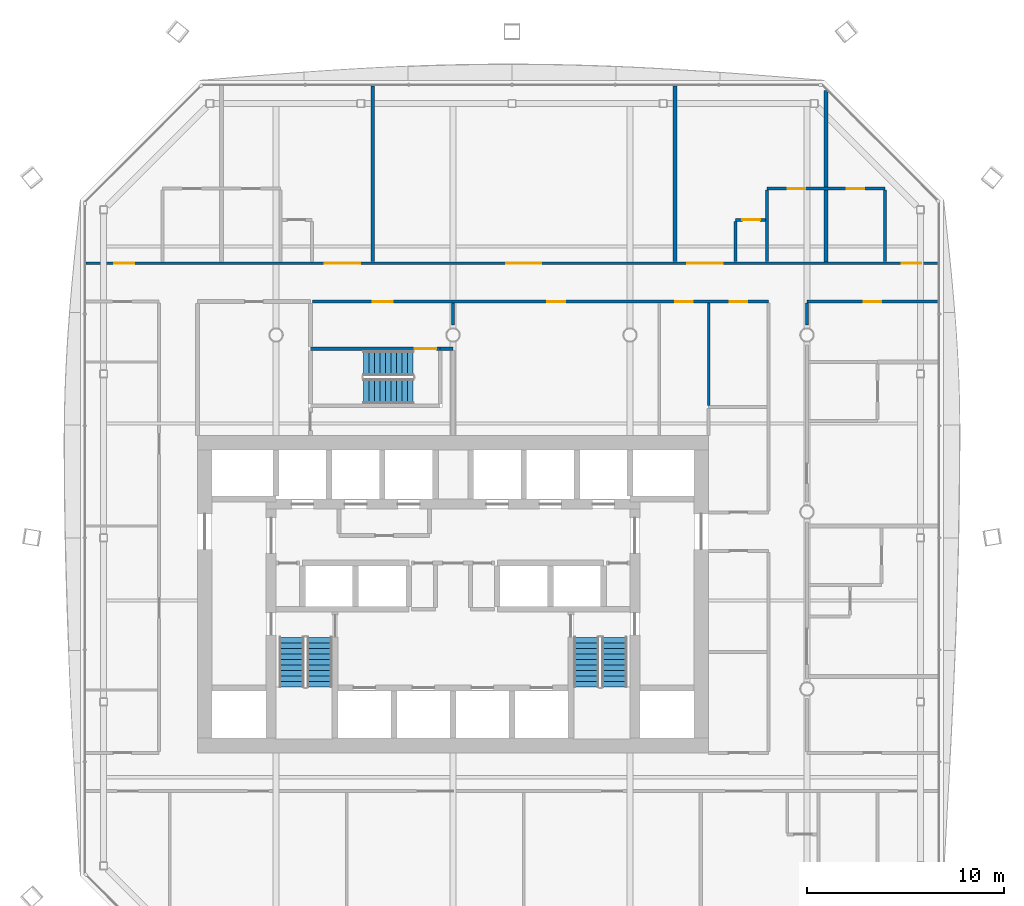
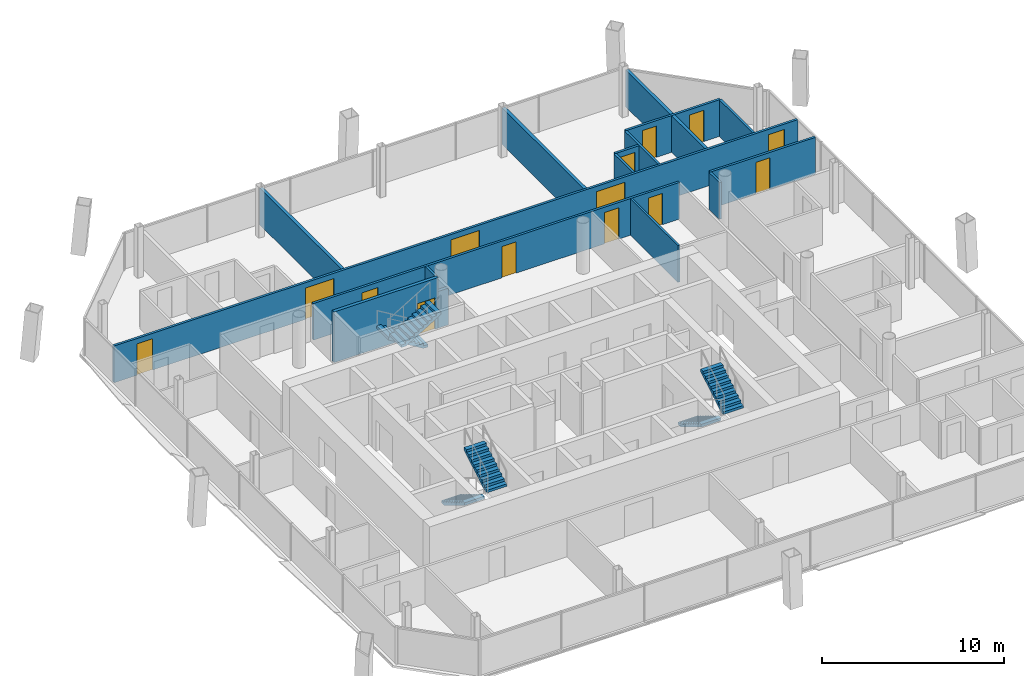
# One storey, part 14 of 17: 16 walls, 14 doors, 6 stair flights, 14 openings, 3 elements without a shape of their own.
"""IFC4 building model written with IfcOpenShell, lengths in metres."""

from ifc_helpers import new_model, si_unit, direction, frame, frame_2d, origin, place, context, subcontext, project, spatial, polyline, rectangle, outline, extrude, material, layer, layer_set, type_object, element, fill, aggregate, save


model = new_model("IFC4")

# Units and contexts
model_context = context("Model", 3, precision=1e-05, world=origin(), true_north=direction((0.0, 1.0)))
body_context = subcontext(model_context, "Body", "Model", "MODEL_VIEW")
ifc_project = project(units=[si_unit("LENGTHUNIT", "METRE"), si_unit("AREAUNIT", "SQUARE_METRE"), si_unit("VOLUMEUNIT", "CUBIC_METRE"), si_unit("PLANEANGLEUNIT", "RADIAN"), si_unit("MASSUNIT", "GRAM", prefix="KILO")], contexts=[model_context])

# Site, building, storey
site_placement = place(None, origin())
site = spatial("IfcSite", under=ifc_project, at=site_placement, CompositionType="ELEMENT")
building_placement = place(site_placement, origin())
building = spatial("IfcBuilding", under=site, at=building_placement, Name="Tskaro Facet Tower", CompositionType="ELEMENT")
storey_placement = place(building_placement, frame((0.0, 0.0, 158.89990234375)))
storey = spatial("IfcBuildingStorey", under=building, at=storey_placement, Name="L39", CompositionType="ELEMENT", Elevation=158.89990234375)

# Wall
ifc_material_1 = material(Name="Gypsum board on steel studs", Category="steel")
ifc_layer_1 = layer(ifc_material_1, 0.125, Name="Gypsum board on steel studs")
ifc_layer_set_1 = layer_set([ifc_layer_1], Name="Gypsum board on steel studs")
wall_type_1 = type_object("IfcWallType", Name="PART", PredefinedType="PARTITIONING", material=ifc_layer_set_1)
wall_1_placement = place(storey_placement, frame((13.0, 5.412109375, 0.0), z_axis=(0.0, 0.0, 1.0), x_axis=(0.0, 1.0, 0.0)))
element("IfcWall", 1, at=wall_1_placement, inside=storey, type_object=wall_type_1, Name="Partition W091", PredefinedType="PARTITIONING", context=body_context, shape_type="SweptSolid", body=[
    extrude(rectangle(XDim=5.212890625, YDim=0.125, at=frame_2d((2.6064453125, 0.0))), origin(), (0.0, 0.0, 1.0), 2.460205078125),
])

# Wall, openings, doors
ifc_layer_2 = layer(ifc_material_1, 0.14990234375, Name="Gypsum board on steel studs")
ifc_layer_set_2 = layer_set([ifc_layer_2], Name="Gypsum board on steel studs")
wall_type_2 = type_object("IfcWallType", Name="PART-CORR", PredefinedType="PARTITIONING", material=ifc_layer_set_2)
wall_2_placement = place(storey_placement, frame((16.050048828125, 10.699951171875, 0.0), z_axis=(0.0, 0.0, 1.0), x_axis=(-1.0, 0.0, 0.0)))
wall_2 = element("IfcWall", 2, at=wall_2_placement, inside=storey, type_object=wall_type_2, Name="Corridor wall W041", PredefinedType="PARTITIONING", context=body_context, shape_type="SweptSolid", body=[
    extrude(rectangle(XDim=23.199951171875, YDim=0.14990234375, at=frame_2d((11.60009765625, 0.0))), origin(), (0.0, 0.0, 1.0), 2.460205078125),
])
opening_1_placement = place(wall_2_placement, frame((19.125, 0.0, 0.0)))
opening_1 = element("IfcOpeningElement", 3, at=opening_1_placement, cuts=wall_2, Name="Opening T11p-D37", PredefinedType="OPENING", context=body_context, shape_type="SweptSolid", body=[
    extrude(rectangle(XDim=1.0, YDim=2.10009765625, at=frame_2d((0.5, 1.050048828125))), frame((0.0, 0.0849609375, 0.0), z_axis=(0.0, -1.0, 0.0), x_axis=(1.0, 0.0, 0.0)), (0.0, 0.0, 1.0), 0.169921875),
])
opening_2_placement = place(wall_2_placement, frame((10.35009765625, 0.0, 0.0)))
opening_2 = element("IfcOpeningElement", 4, at=opening_2_placement, cuts=wall_2, Name="Opening T11p-D38", PredefinedType="OPENING", context=body_context, shape_type="SweptSolid", body=[
    extrude(rectangle(XDim=0.89990234375, YDim=2.10009765625, at=frame_2d((0.449951171875, 1.050048828125))), frame((0.0, 0.0849609375, 0.0), z_axis=(0.0, -1.0, 0.0), x_axis=(1.0, 0.0, 0.0)), (0.0, 0.0, 1.0), 0.169921875),
])
opening_3_placement = place(wall_2_placement, frame((3.85009765625, 0.0, 0.0)))
opening_3 = element("IfcOpeningElement", 5, at=opening_3_placement, cuts=wall_2, Name="Opening T11p-D39", PredefinedType="OPENING", context=body_context, shape_type="SweptSolid", body=[
    extrude(rectangle(XDim=0.89990234375, YDim=2.10009765625, at=frame_2d((0.449951171875, 1.050048828125))), frame((0.0, 0.0849609375, 0.0), z_axis=(0.0, -1.0, 0.0), x_axis=(1.0, 0.0, 0.0)), (0.0, 0.0, 1.0), 0.169921875),
])
opening_4_placement = place(wall_2_placement, frame((1.074951171875, 0.0, 0.0)))
opening_4 = element("IfcOpeningElement", 6, at=opening_4_placement, cuts=wall_2, Name="Opening T11p-D40", PredefinedType="OPENING", context=body_context, shape_type="SweptSolid", body=[
    extrude(rectangle(XDim=0.89990234375, YDim=2.10009765625, at=frame_2d((0.449951171875, 1.050048828125))), frame((0.0, 0.0849609375, 0.0), z_axis=(0.0, -1.0, 0.0), x_axis=(1.0, 0.0, 0.0)), (0.0, 0.0, 1.0), 0.169921875),
])
ifc_material_2 = material(Name="Steel", Category="steel")
door_type_1 = type_object("IfcDoorType", Name="D-LOBBY", OperationType="NOTDEFINED", PredefinedType="DOOR", material=ifc_material_2)
door_1_placement = place(opening_1_placement, origin())
door_1 = element("IfcDoor", 7, at=door_1_placement, inside=storey, type_object=door_type_1, Name="Stair lobby door", OperationType="SINGLE_SWING_RIGHT", OverallHeight=2.10009765625, OverallWidth=1.0, PredefinedType="DOOR", context=body_context, shape_type="SweptSolid", body=[
    extrude(rectangle(XDim=1.0, YDim=2.10009765625, at=frame_2d((0.5, 1.050048828125))), frame((0.0, 0.02490234375, 0.0), z_axis=(0.0, -1.0, 0.0), x_axis=(1.0, 0.0, 0.0)), (0.0, 0.0, 1.0), 0.050048828125),
])
fill(opening_1, door_1)
ifc_material_3 = material(Name="Timber", Category="wood")
door_type_2 = type_object("IfcDoorType", Name="D-ROOM", OperationType="NOTDEFINED", PredefinedType="DOOR", material=ifc_material_3)
door_2_placement = place(opening_2_placement, origin())
door_2 = element("IfcDoor", 8, at=door_2_placement, inside=storey, type_object=door_type_2, Name="Door T11p-D38", OperationType="SINGLE_SWING_RIGHT", OverallHeight=2.10009765625, OverallWidth=0.89990234375, PredefinedType="DOOR", context=body_context, shape_type="SweptSolid", body=[
    extrude(rectangle(XDim=0.89990234375, YDim=2.10009765625, at=frame_2d((0.449951171875, 1.050048828125))), frame((0.0, 0.02490234375, 0.0), z_axis=(0.0, -1.0, 0.0), x_axis=(1.0, 0.0, 0.0)), (0.0, 0.0, 1.0), 0.050048828125),
])
fill(opening_2, door_2)
door_3_placement = place(opening_3_placement, origin())
door_3 = element("IfcDoor", 9, at=door_3_placement, inside=storey, type_object=door_type_2, Name="Door T11p-D39", OperationType="SINGLE_SWING_RIGHT", OverallHeight=2.10009765625, OverallWidth=0.89990234375, PredefinedType="DOOR", context=body_context, shape_type="SweptSolid", body=[
    extrude(rectangle(XDim=0.89990234375, YDim=2.10009765625, at=frame_2d((0.449951171875, 1.050048828125))), frame((0.0, 0.02490234375, 0.0), z_axis=(0.0, -1.0, 0.0), x_axis=(1.0, 0.0, 0.0)), (0.0, 0.0, 1.0), 0.050048828125),
])
fill(opening_3, door_3)
door_4_placement = place(opening_4_placement, origin())
door_4 = element("IfcDoor", 10, at=door_4_placement, inside=storey, type_object=door_type_2, Name="Door T11p-D40", OperationType="SINGLE_SWING_RIGHT", OverallHeight=2.10009765625, OverallWidth=0.89990234375, PredefinedType="DOOR", context=body_context, shape_type="SweptSolid", body=[
    extrude(rectangle(XDim=0.89990234375, YDim=2.10009765625, at=frame_2d((0.449951171875, 1.050048828125))), frame((0.0, 0.02490234375, 0.0), z_axis=(0.0, -1.0, 0.0), x_axis=(1.0, 0.0, 0.0)), (0.0, 0.0, 1.0), 0.050048828125),
])
fill(opening_4, door_4)

# Wall, opening, door
wall_3_placement = place(storey_placement, frame((24.674072265625, 10.699951171875, 0.0), z_axis=(0.0, 0.0, 1.0), x_axis=(-1.0, 0.0, 0.0)))
wall_3 = element("IfcWall", 11, at=wall_3_placement, inside=storey, type_object=wall_type_2, Name="Corridor wall W042", PredefinedType="PARTITIONING", context=body_context, shape_type="SweptSolid", body=[
    extrude(rectangle(XDim=6.674072265625, YDim=0.14990234375, at=frame_2d((3.3369140625, 0.0))), origin(), (0.0, 0.0, 1.0), 2.460205078125),
])
opening_5_placement = place(wall_3_placement, frame((2.886962890625, 0.0, 0.0)))
opening_5 = element("IfcOpeningElement", 12, at=opening_5_placement, cuts=wall_3, Name="Opening T11p-D41", PredefinedType="OPENING", context=body_context, shape_type="SweptSolid", body=[
    extrude(rectangle(XDim=0.89990234375, YDim=2.10009765625, at=frame_2d((0.449951171875, 1.050048828125))), frame((0.0, 0.0849609375, 0.0), z_axis=(0.0, -1.0, 0.0), x_axis=(1.0, 0.0, 0.0)), (0.0, 0.0, 1.0), 0.169921875),
])
door_5_placement = place(opening_5_placement, origin())
door_5 = element("IfcDoor", 13, at=door_5_placement, inside=storey, type_object=door_type_2, Name="Door T11p-D41", OperationType="SINGLE_SWING_RIGHT", OverallHeight=2.10009765625, OverallWidth=0.89990234375, PredefinedType="DOOR", context=body_context, shape_type="SweptSolid", body=[
    extrude(rectangle(XDim=0.89990234375, YDim=2.10009765625, at=frame_2d((0.449951171875, 1.050048828125))), frame((0.0, 0.02490234375, 0.0), z_axis=(0.0, -1.0, 0.0), x_axis=(1.0, 0.0, 0.0)), (0.0, 0.0, 1.0), 0.050048828125),
])
fill(opening_5, door_5)

# Wall, openings, doors
wall_4_placement = place(storey_placement, frame((-18.674072265625, 12.64990234375, 0.0), z_axis=(0.0, 0.0, 1.0), x_axis=(1.0, 0.0, 0.0)))
wall_4 = element("IfcWall", 14, at=wall_4_placement, inside=storey, type_object=wall_type_2, Name="Corridor wall W043", PredefinedType="PARTITIONING", context=body_context, shape_type="SweptSolid", body=[
    extrude(rectangle(XDim=43.34814453125, YDim=0.14990234375, at=frame_2d((21.674072265625, 0.0))), origin(), (0.0, 0.0, 1.0), 2.460205078125),
])
opening_6_placement = place(wall_4_placement, frame((1.452880859375, 0.0, 0.0)))
opening_6 = element("IfcOpeningElement", 15, at=opening_6_placement, cuts=wall_4, Name="Opening T11p-D42", PredefinedType="OPENING", context=body_context, shape_type="SweptSolid", body=[
    extrude(rectangle(XDim=1.0, YDim=2.10009765625, at=frame_2d((0.5, 1.050048828125))), frame((0.0, 0.0849609375, 0.0), z_axis=(0.0, -1.0, 0.0), x_axis=(1.0, 0.0, 0.0)), (0.0, 0.0, 1.0), 0.169921875),
])
opening_7_placement = place(wall_4_placement, frame((12.14794921875, 0.0, 0.0)))
opening_7 = element("IfcOpeningElement", 16, at=opening_7_placement, cuts=wall_4, Name="Opening T11p-D43", PredefinedType="OPENING", context=body_context, shape_type="SweptSolid", body=[
    extrude(rectangle(XDim=1.800048828125, YDim=2.10009765625, at=frame_2d((0.89990234375, 1.050048828125))), frame((0.0, 0.0849609375, 0.0), z_axis=(0.0, -1.0, 0.0), x_axis=(1.0, 0.0, 0.0)), (0.0, 0.0, 1.0), 0.169921875),
])
opening_8_placement = place(wall_4_placement, frame((21.3740234375, 0.0, 0.0)))
opening_8 = element("IfcOpeningElement", 17, at=opening_8_placement, cuts=wall_4, Name="Opening T11p-D44", PredefinedType="OPENING", context=body_context, shape_type="SweptSolid", body=[
    extrude(rectangle(XDim=1.800048828125, YDim=2.10009765625, at=frame_2d((0.89990234375, 1.050048828125))), frame((0.0, 0.0849609375, 0.0), z_axis=(0.0, -1.0, 0.0), x_axis=(1.0, 0.0, 0.0)), (0.0, 0.0, 1.0), 0.169921875),
])
opening_9_placement = place(wall_4_placement, frame((30.60009765625, 0.0, 0.0)))
opening_9 = element("IfcOpeningElement", 18, at=opening_9_placement, cuts=wall_4, Name="Opening T11p-D45", PredefinedType="OPENING", context=body_context, shape_type="SweptSolid", body=[
    extrude(rectangle(XDim=1.800048828125, YDim=2.10009765625, at=frame_2d((0.89990234375, 1.050048828125))), frame((0.0, 0.0849609375, 0.0), z_axis=(0.0, -1.0, 0.0), x_axis=(1.0, 0.0, 0.0)), (0.0, 0.0, 1.0), 0.169921875),
])
opening_10_placement = place(wall_4_placement, frame((41.4951171875, 0.0, 0.0)))
opening_10 = element("IfcOpeningElement", 19, at=opening_10_placement, cuts=wall_4, Name="Opening T11p-D46", PredefinedType="OPENING", context=body_context, shape_type="SweptSolid", body=[
    extrude(rectangle(XDim=1.0, YDim=2.10009765625, at=frame_2d((0.5, 1.050048828125))), frame((0.0, 0.0849609375, 0.0), z_axis=(0.0, -1.0, 0.0), x_axis=(1.0, 0.0, 0.0)), (0.0, 0.0, 1.0), 0.169921875),
])
door_type_3 = type_object("IfcDoorType", Name="D-ENTRY", OperationType="NOTDEFINED", PredefinedType="DOOR", material=ifc_material_3)
door_6_placement = place(opening_6_placement, origin())
door_6 = element("IfcDoor", 20, at=door_6_placement, inside=storey, type_object=door_type_3, Name="Door T11p-D42", OperationType="SINGLE_SWING_RIGHT", OverallHeight=2.10009765625, OverallWidth=1.0, PredefinedType="DOOR", context=body_context, shape_type="SweptSolid", body=[
    extrude(rectangle(XDim=1.0, YDim=2.10009765625, at=frame_2d((0.5, 1.050048828125))), frame((0.0, 0.02490234375, 0.0), z_axis=(0.0, -1.0, 0.0), x_axis=(1.0, 0.0, 0.0)), (0.0, 0.0, 1.0), 0.050048828125),
])
fill(opening_6, door_6)
door_7_placement = place(opening_10_placement, origin())
door_7 = element("IfcDoor", 21, at=door_7_placement, inside=storey, type_object=door_type_3, Name="Door T11p-D46", OperationType="SINGLE_SWING_RIGHT", OverallHeight=2.10009765625, OverallWidth=1.0, PredefinedType="DOOR", context=body_context, shape_type="SweptSolid", body=[
    extrude(rectangle(XDim=1.0, YDim=2.10009765625, at=frame_2d((0.5, 1.050048828125))), frame((0.0, 0.02490234375, 0.0), z_axis=(0.0, -1.0, 0.0), x_axis=(1.0, 0.0, 0.0)), (0.0, 0.0, 1.0), 0.050048828125),
])
fill(opening_10, door_7)
ifc_material_4 = material(Name="Glass", Category="glass")
door_type_4 = type_object("IfcDoorType", Name="D-ENTRY-PAIR", OperationType="NOTDEFINED", PredefinedType="DOOR", material=ifc_material_4)
door_8_placement = place(opening_8_placement, origin())
door_8 = element("IfcDoor", 22, at=door_8_placement, inside=storey, type_object=door_type_4, Name="Door T11p-D44", OperationType="DOUBLE_DOOR_SINGLE_SWING", OverallHeight=2.10009765625, OverallWidth=1.800048828125, PredefinedType="DOOR", context=body_context, shape_type="SweptSolid", body=[
    extrude(rectangle(XDim=1.800048828125, YDim=2.10009765625, at=frame_2d((0.89990234375, 1.050048828125))), frame((0.0, 0.02490234375, 0.0), z_axis=(0.0, -1.0, 0.0), x_axis=(1.0, 0.0, 0.0)), (0.0, 0.0, 1.0), 0.050048828125),
])
fill(opening_8, door_8)
door_type_5 = type_object("IfcDoorType", Name="D-SUITE-PAIR", OperationType="NOTDEFINED", PredefinedType="DOOR", material=ifc_material_3)
door_9_placement = place(opening_7_placement, origin())
door_9 = element("IfcDoor", 23, at=door_9_placement, inside=storey, type_object=door_type_5, Name="Door T11p-D43", OperationType="DOUBLE_DOOR_SINGLE_SWING", OverallHeight=2.10009765625, OverallWidth=1.800048828125, PredefinedType="DOOR", context=body_context, shape_type="SweptSolid", body=[
    extrude(rectangle(XDim=1.800048828125, YDim=2.10009765625, at=frame_2d((0.89990234375, 1.050048828125))), frame((0.0, 0.02490234375, 0.0), z_axis=(0.0, -1.0, 0.0), x_axis=(1.0, 0.0, 0.0)), (0.0, 0.0, 1.0), 0.050048828125),
])
fill(opening_7, door_9)
door_10_placement = place(opening_9_placement, origin())
door_10 = element("IfcDoor", 24, at=door_10_placement, inside=storey, type_object=door_type_5, Name="Door T11p-D45", OperationType="DOUBLE_DOOR_SINGLE_SWING", OverallHeight=2.10009765625, OverallWidth=1.800048828125, PredefinedType="DOOR", context=body_context, shape_type="SweptSolid", body=[
    extrude(rectangle(XDim=1.800048828125, YDim=2.10009765625, at=frame_2d((0.89990234375, 1.050048828125))), frame((0.0, 0.02490234375, 0.0), z_axis=(0.0, -1.0, 0.0), x_axis=(1.0, 0.0, 0.0)), (0.0, 0.0, 1.0), 0.050048828125),
])
fill(opening_9, door_10)

# Wall, opening, door
wall_5_placement = place(storey_placement, frame((15.89306640625, 14.85009765625, 0.0), z_axis=(0.0, 0.0, 1.0), x_axis=(-1.0, 0.0, 0.0)))
wall_5 = element("IfcWall", 25, at=wall_5_placement, inside=storey, type_object=wall_type_2, Name="Corridor wall W045", PredefinedType="PARTITIONING", context=body_context, shape_type="SweptSolid", body=[
    extrude(rectangle(XDim=1.525146484375, YDim=0.14990234375, at=frame_2d((0.7626953125, 0.0))), origin(), (0.0, 0.0, 1.0), 2.460205078125),
])
opening_11_placement = place(wall_5_placement, frame((0.27490234375, 0.0, 0.0)))
opening_11 = element("IfcOpeningElement", 26, at=opening_11_placement, cuts=wall_5, Name="Opening T11p-D48", PredefinedType="OPENING", context=body_context, shape_type="SweptSolid", body=[
    extrude(rectangle(XDim=0.89990234375, YDim=2.10009765625, at=frame_2d((0.449951171875, 1.050048828125))), frame((0.0, 0.0849609375, 0.0), z_axis=(0.0, -1.0, 0.0), x_axis=(1.0, 0.0, 0.0)), (0.0, 0.0, 1.0), 0.169921875),
])
door_11_placement = place(opening_11_placement, origin())
door_11 = element("IfcDoor", 27, at=door_11_placement, inside=storey, type_object=door_type_2, Name="Door T11p-D48", OperationType="SINGLE_SWING_RIGHT", OverallHeight=2.10009765625, OverallWidth=0.89990234375, PredefinedType="DOOR", context=body_context, shape_type="SweptSolid", body=[
    extrude(rectangle(XDim=0.89990234375, YDim=2.10009765625, at=frame_2d((0.449951171875, 1.050048828125))), frame((0.0, 0.02490234375, 0.0), z_axis=(0.0, -1.0, 0.0), x_axis=(1.0, 0.0, 0.0)), (0.0, 0.0, 1.0), 0.050048828125),
])
fill(opening_11, door_11)

# Wall, openings, doors
wall_6_placement = place(storey_placement, frame((21.968017578125, 16.449951171875, 0.0), z_axis=(0.0, 0.0, 1.0), x_axis=(-1.0, 0.0, 0.0)))
wall_6 = element("IfcWall", 28, at=wall_6_placement, inside=storey, type_object=wall_type_2, Name="Corridor wall W047", PredefinedType="PARTITIONING", context=body_context, shape_type="SweptSolid", body=[
    extrude(rectangle(XDim=6.0, YDim=0.14990234375, at=frame_2d((3.0, 0.0))), origin(), (0.0, 0.0, 1.0), 2.460205078125),
])
opening_12_placement = place(wall_6_placement, frame((4.050048828125, 0.0, 0.0)))
opening_12 = element("IfcOpeningElement", 29, at=opening_12_placement, cuts=wall_6, Name="Opening T11p-D51", PredefinedType="OPENING", context=body_context, shape_type="SweptSolid", body=[
    extrude(rectangle(XDim=0.89990234375, YDim=2.10009765625, at=frame_2d((0.449951171875, 1.050048828125))), frame((0.0, 0.0849609375, 0.0), z_axis=(0.0, -1.0, 0.0), x_axis=(1.0, 0.0, 0.0)), (0.0, 0.0, 1.0), 0.169921875),
])
opening_13_placement = place(wall_6_placement, frame((1.050048828125, 0.0, 0.0)))
opening_13 = element("IfcOpeningElement", 30, at=opening_13_placement, cuts=wall_6, Name="Opening T11p-D52", PredefinedType="OPENING", context=body_context, shape_type="SweptSolid", body=[
    extrude(rectangle(XDim=0.89990234375, YDim=2.10009765625, at=frame_2d((0.449951171875, 1.050048828125))), frame((0.0, 0.0849609375, 0.0), z_axis=(0.0, -1.0, 0.0), x_axis=(1.0, 0.0, 0.0)), (0.0, 0.0, 1.0), 0.169921875),
])
door_12_placement = place(opening_12_placement, origin())
door_12 = element("IfcDoor", 31, at=door_12_placement, inside=storey, type_object=door_type_2, Name="Door T11p-D51", OperationType="SINGLE_SWING_RIGHT", OverallHeight=2.10009765625, OverallWidth=0.89990234375, PredefinedType="DOOR", context=body_context, shape_type="SweptSolid", body=[
    extrude(rectangle(XDim=0.89990234375, YDim=2.10009765625, at=frame_2d((0.449951171875, 1.050048828125))), frame((0.0, 0.02490234375, 0.0), z_axis=(0.0, -1.0, 0.0), x_axis=(1.0, 0.0, 0.0)), (0.0, 0.0, 1.0), 0.050048828125),
])
fill(opening_12, door_12)
door_13_placement = place(opening_13_placement, origin())
door_13 = element("IfcDoor", 32, at=door_13_placement, inside=storey, type_object=door_type_2, Name="Door T11p-D52", OperationType="SINGLE_SWING_RIGHT", OverallHeight=2.10009765625, OverallWidth=0.89990234375, PredefinedType="DOOR", context=body_context, shape_type="SweptSolid", body=[
    extrude(rectangle(XDim=0.89990234375, YDim=2.10009765625, at=frame_2d((0.449951171875, 1.050048828125))), frame((0.0, 0.02490234375, 0.0), z_axis=(0.0, -1.0, 0.0), x_axis=(1.0, 0.0, 0.0)), (0.0, 0.0, 1.0), 0.050048828125),
])
fill(opening_13, door_13)

# Walls
wall_7_placement = place(storey_placement, frame((0.0, 9.5, 0.0), z_axis=(0.0, 0.0, 1.0), x_axis=(0.0, 1.0, 0.0)))
element("IfcWall", 33, at=wall_7_placement, inside=storey, type_object=wall_type_2, Name="Corridor wall W075", PredefinedType="PARTITIONING", context=body_context, shape_type="SweptSolid", body=[
    extrude(rectangle(XDim=1.125, YDim=0.14990234375, at=frame_2d((0.5625, 0.0))), origin(), (0.0, 0.0, 1.0), 2.460205078125),
])
wall_8_placement = place(storey_placement, frame((14.367919921875, 12.72509765625, 0.0), z_axis=(0.0, 0.0, 1.0), x_axis=(0.0, 1.0, 0.0)))
element("IfcWall", 34, at=wall_8_placement, inside=storey, type_object=wall_type_2, Name="Corridor wall W092", PredefinedType="PARTITIONING", context=body_context, shape_type="SweptSolid", body=[
    extrude(rectangle(XDim=2.0498046875, YDim=0.14990234375, at=frame_2d((1.02490234375, 0.0))), origin(), (0.0, 0.0, 1.0), 2.460205078125),
])
wall_9_placement = place(storey_placement, frame((15.968017578125, 12.72509765625, 0.0), z_axis=(0.0, 0.0, 1.0), x_axis=(0.0, 1.0, 0.0)))
element("IfcWall", 35, at=wall_9_placement, inside=storey, type_object=wall_type_2, Name="Corridor wall W093", PredefinedType="PARTITIONING", context=body_context, shape_type="SweptSolid", body=[
    extrude(rectangle(XDim=3.64990234375, YDim=0.14990234375, at=frame_2d((1.824951171875, 0.0))), origin(), (0.0, 0.0, 1.0), 2.460205078125),
])
wall_10_placement = place(storey_placement, frame((18.0, 9.5, 0.0), z_axis=(0.0, 0.0, 1.0), x_axis=(0.0, 1.0, 0.0)))
element("IfcWall", 36, at=wall_10_placement, inside=storey, type_object=wall_type_2, Name="Corridor wall W100", PredefinedType="PARTITIONING", context=body_context, shape_type="SweptSolid", body=[
    extrude(rectangle(XDim=1.125, YDim=0.14990234375, at=frame_2d((0.5625, 0.0))), origin(), (0.0, 0.0, 1.0), 2.460205078125),
])
wall_11_placement = place(storey_placement, frame((21.968017578125, 12.72509765625, 0.0), z_axis=(0.0, 0.0, 1.0), x_axis=(0.0, 1.0, 0.0)))
element("IfcWall", 37, at=wall_11_placement, inside=storey, type_object=wall_type_2, Name="Corridor wall W108", PredefinedType="PARTITIONING", context=body_context, shape_type="SweptSolid", body=[
    extrude(rectangle(XDim=3.64990234375, YDim=0.14990234375, at=frame_2d((1.824951171875, 0.0))), origin(), (0.0, 0.0, 1.0), 2.460205078125),
])
ifc_layer_3 = layer(ifc_material_1, 0.199951171875, Name="Gypsum board on steel studs")
ifc_layer_set_3 = layer_set([ifc_layer_3], Name="Gypsum board on steel studs")
wall_type_3 = type_object("IfcWallType", Name="PART-DEMISING", PredefinedType="PARTITIONING", material=ifc_layer_set_3)
for number, where, z_axis, x_axis, name in (
    (38, (-4.083984375, 12.72509765625, 0.0), (0.0, 0.0, 1.0), (0.0, 1.0, 0.0), "Guest room wall W065"),
    (39, (11.283935546875, 12.72509765625, 0.0), (0.0, 0.0, 1.0), (0.0, 1.0, 0.0), "Guest room wall W088"),
):
    element("IfcWall", number, at=place(storey_placement, frame(where, z_axis=z_axis, x_axis=x_axis)), inside=storey, type_object=wall_type_3, Name=name, PredefinedType="PARTITIONING", context=body_context, shape_type="SweptSolid", body=[
        extrude(rectangle(XDim=8.948974609375, YDim=0.199951171875, at=frame_2d((4.474609375, 0.0))), origin(), (0.0, 0.0, 1.0), 2.460205078125),
    ])
wall_12_placement = place(storey_placement, frame((18.968017578125, 12.72509765625, 0.0), z_axis=(0.0, 0.0, 1.0), x_axis=(0.0, 1.0, 0.0)))
element("IfcWall", 40, at=wall_12_placement, inside=storey, type_object=wall_type_3, Name="Guest room wall W102", PredefinedType="PARTITIONING", context=body_context, shape_type="SweptSolid", body=[
    extrude(rectangle(XDim=8.721923828125, YDim=0.199951171875, at=frame_2d((4.36083984375, 0.0))), origin(), (0.0, 0.0, 1.0), 2.460205078125),
])

# Wall, opening, door
ifc_material_5 = material(Name="Concrete C60/75", Category="concrete")
ifc_layer_4 = layer(ifc_material_5, 0.199951171875, Name="Concrete C60/75")
ifc_layer_set_4 = layer_set([ifc_layer_4], Name="Concrete C60/75")
wall_type_4 = type_object("IfcWallType", Name="STAIR-WALL", PredefinedType="SHEAR", material=ifc_layer_set_4)
wall_13_placement = place(storey_placement, frame((-0.64990234375, 8.300048828125, 0.0), z_axis=(0.0, 0.0, 1.0), x_axis=(-1.0, 0.0, 0.0)))
wall_13 = element("IfcWall", 41, at=wall_13_placement, inside=storey, type_object=wall_type_4, Name="Stair wall W037", PredefinedType="SHEAR", context=body_context, shape_type="SweptSolid", body=[
    extrude(rectangle(XDim=6.60009765625, YDim=0.199951171875, at=frame_2d((3.300048828125, 0.0))), origin(), (0.0, 0.0, 1.0), 3.400146484375),
])
opening_14_placement = place(wall_13_placement, frame((0.199951171875, 0.0, 0.0)))
opening_14 = element("IfcOpeningElement", 42, at=opening_14_placement, cuts=wall_13, Name="Opening ST-3-D1", PredefinedType="OPENING", context=body_context, shape_type="SweptSolid", body=[
    extrude(rectangle(XDim=1.10009765625, YDim=2.10009765625, at=frame_2d((0.550048828125, 1.050048828125))), frame((0.0, 0.10986328125, 0.0), z_axis=(0.0, -1.0, 0.0), x_axis=(1.0, 0.0, 0.0)), (0.0, 0.0, 1.0), 0.219970703125),
])
door_type_6 = type_object("IfcDoorType", Name="D-STAIR", OperationType="NOTDEFINED", PredefinedType="DOOR", material=ifc_material_2)
door_14_placement = place(opening_14_placement, origin())
door_14 = element("IfcDoor", 43, at=door_14_placement, inside=storey, type_object=door_type_6, Name="Stair door 3", OperationType="SINGLE_SWING_RIGHT", OverallHeight=2.10009765625, OverallWidth=1.10009765625, PredefinedType="DOOR", context=body_context, shape_type="SweptSolid", body=[
    extrude(rectangle(XDim=1.10009765625, YDim=2.10009765625, at=frame_2d((0.550048828125, 1.050048828125))), frame((0.0, 0.02490234375, 0.0), z_axis=(0.0, -1.0, 0.0), x_axis=(1.0, 0.0, 0.0)), (0.0, 0.0, 1.0), 0.050048828125),
])
fill(opening_14, door_14)

# Wall
ifc_material_6 = material(Name="Concrete C20/25", Category="concrete")
ifc_layer_5 = layer(ifc_material_6, 0.199951171875, Name="Concrete C20/25")
ifc_layer_set_5 = layer_set([ifc_layer_5], Name="Concrete C20/25")
wall_type_5 = type_object("IfcWallType", Name="WALL-RISER", PredefinedType="SOLIDWALL", material=ifc_layer_set_5)
wall_14_placement = place(storey_placement, frame((-0.64990234375, 8.300048828125, 0.0), z_axis=(0.0, 0.0, 1.0), x_axis=(1.0, 0.0, 0.0)))
element("IfcWall", 44, at=wall_14_placement, inside=storey, type_object=wall_type_5, Name="Riser room wall W038", PredefinedType="SOLIDWALL", context=body_context, shape_type="SweptSolid", body=[
    extrude(rectangle(XDim=0.64990234375, YDim=0.199951171875, at=frame_2d((0.324951171875, 0.0))), origin(), (0.0, 0.0, 1.0), 2.460205078125),
])

# Stair, stair flights
ifc_material_7 = material(Name="Concrete C40/50", Category="concrete")
stair_type = type_object("IfcStairType", Name="ST-TWR", PredefinedType="HALF_TURN_STAIR", material=ifc_material_7)
stair_1_placement = place(storey_placement, origin())
stair_1 = element("IfcStair", 45, at=stair_1_placement, inside=storey, type_object=stair_type, Name="L39 Exit stair 1", PredefinedType="HALF_TURN_STAIR")
stair_flight_type = type_object("IfcStairFlightType", Name="SFL-RC", PredefinedType="STRAIGHT", material=ifc_material_7)
stair_flight_1_placement = place(storey_placement, frame((-8.21240234375, -6.375, 0.0), z_axis=(0.0, 0.0, 1.0), x_axis=(0.0, -1.0, 0.0)))
stair_flight_1 = element("IfcStairFlight", 46, at=stair_flight_1_placement, type_object=stair_flight_type, Name="ST-1 flight 1", NumberOfRisers=10, NumberOfTreads=9, PredefinedType="STRAIGHT", RiserHeight=0.17, TreadLength=0.28, context=body_context, shape_type="SweptSolid", body=[
    extrude(outline(polyline([(0.0, 0.0), (0.0, 0.169921875), (0.280029296875, 0.169921875), (0.280029296875, 0.340087890625), (0.56005859375, 0.340087890625), (0.56005859375, 0.510009765625), (0.840087890625, 0.510009765625), (0.840087890625, 0.679931640625), (1.1201171875, 0.679931640625), (1.1201171875, 0.85009765625), (1.39990234375, 0.85009765625), (1.39990234375, 1.02001953125), (1.679931640625, 1.02001953125), (1.679931640625, 1.18994140625), (1.9599609375, 1.18994140625), (1.9599609375, 1.360107421875), (2.239990234375, 1.360107421875), (2.239990234375, 1.530029296875), (2.52001953125, 1.530029296875), (2.52001953125, 1.699951171875), (2.52001953125, 1.354736328125), (0.288818359375, 0.0), (0.0, 0.0)])), frame((0.0, 0.637451171875, 0.0), z_axis=(0.0, -1.0, 0.0), x_axis=(1.0, 0.0, 0.0)), (0.0, 0.0, 1.0), 1.27490234375),
])
stair_flight_2_placement = place(storey_placement, frame((-6.78759765625, -8.89501953125, 1.7001953125), z_axis=(0.0, 0.0, 1.0), x_axis=(0.0, 1.0, 0.0)))
stair_flight_2 = element("IfcStairFlight", 47, at=stair_flight_2_placement, type_object=stair_flight_type, Name="ST-1 flight 2", NumberOfRisers=10, NumberOfTreads=9, PredefinedType="STRAIGHT", RiserHeight=0.17, TreadLength=0.28, context=body_context, shape_type="SweptSolid", body=[
    extrude(outline(polyline([(0.0, 0.0), (0.0, 0.169921875), (0.280029296875, 0.169921875), (0.280029296875, 0.340087890625), (0.56005859375, 0.340087890625), (0.56005859375, 0.510009765625), (0.840087890625, 0.510009765625), (0.840087890625, 0.679931640625), (1.1201171875, 0.679931640625), (1.1201171875, 0.85009765625), (1.39990234375, 0.85009765625), (1.39990234375, 1.02001953125), (1.679931640625, 1.02001953125), (1.679931640625, 1.18994140625), (1.9599609375, 1.18994140625), (1.9599609375, 1.360107421875), (2.239990234375, 1.360107421875), (2.239990234375, 1.530029296875), (2.52001953125, 1.530029296875), (2.52001953125, 1.699951171875), (2.52001953125, 1.354736328125), (0.288818359375, 0.0), (0.0, 0.0)])), frame((0.0, 0.637451171875, 0.0), z_axis=(0.0, -1.0, 0.0), x_axis=(1.0, 0.0, 0.0)), (0.0, 0.0, 1.0), 1.27490234375),
])
aggregate(stair_1, [stair_flight_1, stair_flight_2])

stair_2_placement = place(storey_placement, origin())
stair_2 = element("IfcStair", 48, at=stair_2_placement, inside=storey, type_object=stair_type, Name="L39 Exit stair 2", PredefinedType="HALF_TURN_STAIR")
stair_flight_3_placement = place(storey_placement, frame((6.78759765625, -6.375, 0.0), z_axis=(0.0, 0.0, 1.0), x_axis=(0.0, -1.0, 0.0)))
stair_flight_3 = element("IfcStairFlight", 49, at=stair_flight_3_placement, type_object=stair_flight_type, Name="ST-2 flight 1", NumberOfRisers=10, NumberOfTreads=9, PredefinedType="STRAIGHT", RiserHeight=0.17, TreadLength=0.28, context=body_context, shape_type="SweptSolid", body=[
    extrude(outline(polyline([(0.0, 0.0), (0.0, 0.169921875), (0.280029296875, 0.169921875), (0.280029296875, 0.340087890625), (0.56005859375, 0.340087890625), (0.56005859375, 0.510009765625), (0.840087890625, 0.510009765625), (0.840087890625, 0.679931640625), (1.1201171875, 0.679931640625), (1.1201171875, 0.85009765625), (1.39990234375, 0.85009765625), (1.39990234375, 1.02001953125), (1.679931640625, 1.02001953125), (1.679931640625, 1.18994140625), (1.9599609375, 1.18994140625), (1.9599609375, 1.360107421875), (2.239990234375, 1.360107421875), (2.239990234375, 1.530029296875), (2.52001953125, 1.530029296875), (2.52001953125, 1.699951171875), (2.52001953125, 1.354736328125), (0.288818359375, 0.0), (0.0, 0.0)])), frame((0.0, 0.637451171875, 0.0), z_axis=(0.0, -1.0, 0.0), x_axis=(1.0, 0.0, 0.0)), (0.0, 0.0, 1.0), 1.27490234375),
])
stair_flight_4_placement = place(storey_placement, frame((8.21240234375, -8.89501953125, 1.7001953125), z_axis=(0.0, 0.0, 1.0), x_axis=(0.0, 1.0, 0.0)))
stair_flight_4 = element("IfcStairFlight", 50, at=stair_flight_4_placement, type_object=stair_flight_type, Name="ST-2 flight 2", NumberOfRisers=10, NumberOfTreads=9, PredefinedType="STRAIGHT", RiserHeight=0.17, TreadLength=0.28, context=body_context, shape_type="SweptSolid", body=[
    extrude(outline(polyline([(0.0, 0.0), (0.0, 0.169921875), (0.280029296875, 0.169921875), (0.280029296875, 0.340087890625), (0.56005859375, 0.340087890625), (0.56005859375, 0.510009765625), (0.840087890625, 0.510009765625), (0.840087890625, 0.679931640625), (1.1201171875, 0.679931640625), (1.1201171875, 0.85009765625), (1.39990234375, 0.85009765625), (1.39990234375, 1.02001953125), (1.679931640625, 1.02001953125), (1.679931640625, 1.18994140625), (1.9599609375, 1.18994140625), (1.9599609375, 1.360107421875), (2.239990234375, 1.360107421875), (2.239990234375, 1.530029296875), (2.52001953125, 1.530029296875), (2.52001953125, 1.699951171875), (2.52001953125, 1.354736328125), (0.288818359375, 0.0), (0.0, 0.0)])), frame((0.0, 0.637451171875, 0.0), z_axis=(0.0, -1.0, 0.0), x_axis=(1.0, 0.0, 0.0)), (0.0, 0.0, 1.0), 1.27490234375),
])
aggregate(stair_2, [stair_flight_3, stair_flight_4])

stair_3_placement = place(storey_placement, origin())
stair_3 = element("IfcStair", 51, at=stair_3_placement, inside=storey, type_object=stair_type, Name="L39 Exit stair 3", PredefinedType="HALF_TURN_STAIR")
stair_flight_5_placement = place(storey_placement, frame((-2.02490234375, 7.5625, 0.0), z_axis=(0.0, 0.0, 1.0), x_axis=(-1.0, 0.0, 0.0)))
stair_flight_5 = element("IfcStairFlight", 52, at=stair_flight_5_placement, type_object=stair_flight_type, Name="ST-3 flight 1", NumberOfRisers=10, NumberOfTreads=9, PredefinedType="STRAIGHT", RiserHeight=0.17, TreadLength=0.28, context=body_context, shape_type="SweptSolid", body=[
    extrude(outline(polyline([(0.0, 0.0), (0.0, 0.169921875), (0.280029296875, 0.169921875), (0.280029296875, 0.340087890625), (0.56005859375, 0.340087890625), (0.56005859375, 0.510009765625), (0.840087890625, 0.510009765625), (0.840087890625, 0.679931640625), (1.1201171875, 0.679931640625), (1.1201171875, 0.85009765625), (1.39990234375, 0.85009765625), (1.39990234375, 1.02001953125), (1.679931640625, 1.02001953125), (1.679931640625, 1.18994140625), (1.9599609375, 1.18994140625), (1.9599609375, 1.360107421875), (2.239990234375, 1.360107421875), (2.239990234375, 1.530029296875), (2.52001953125, 1.530029296875), (2.52001953125, 1.699951171875), (2.52001953125, 1.354736328125), (0.288818359375, 0.0), (0.0, 0.0)])), frame((0.0, 0.637451171875, 0.0), z_axis=(0.0, -1.0, 0.0), x_axis=(1.0, 0.0, 0.0)), (0.0, 0.0, 1.0), 1.27490234375),
])
stair_flight_6_placement = place(storey_placement, frame((-4.544921875, 6.137451171875, 1.7001953125), z_axis=(0.0, 0.0, 1.0), x_axis=(1.0, 0.0, 0.0)))
stair_flight_6 = element("IfcStairFlight", 53, at=stair_flight_6_placement, type_object=stair_flight_type, Name="ST-3 flight 2", NumberOfRisers=10, NumberOfTreads=9, PredefinedType="STRAIGHT", RiserHeight=0.17, TreadLength=0.28, context=body_context, shape_type="SweptSolid", body=[
    extrude(outline(polyline([(0.0, 0.0), (0.0, 0.169921875), (0.280029296875, 0.169921875), (0.280029296875, 0.340087890625), (0.56005859375, 0.340087890625), (0.56005859375, 0.510009765625), (0.840087890625, 0.510009765625), (0.840087890625, 0.679931640625), (1.1201171875, 0.679931640625), (1.1201171875, 0.85009765625), (1.39990234375, 0.85009765625), (1.39990234375, 1.02001953125), (1.679931640625, 1.02001953125), (1.679931640625, 1.18994140625), (1.9599609375, 1.18994140625), (1.9599609375, 1.360107421875), (2.239990234375, 1.360107421875), (2.239990234375, 1.530029296875), (2.52001953125, 1.530029296875), (2.52001953125, 1.699951171875), (2.52001953125, 1.354736328125), (0.288818359375, 0.0), (0.0, 0.0)])), frame((0.0, 0.637451171875, 0.0), z_axis=(0.0, -1.0, 0.0), x_axis=(1.0, 0.0, 0.0)), (0.0, 0.0, 1.0), 1.27490234375),
])
aggregate(stair_3, [stair_flight_5, stair_flight_6])

save(model, "model.ifc")
